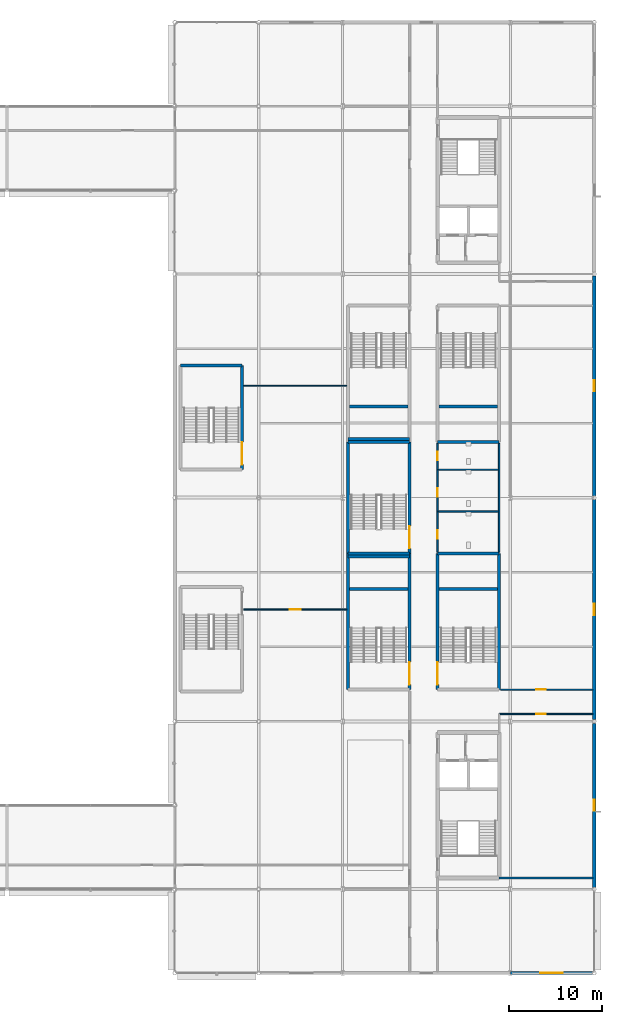
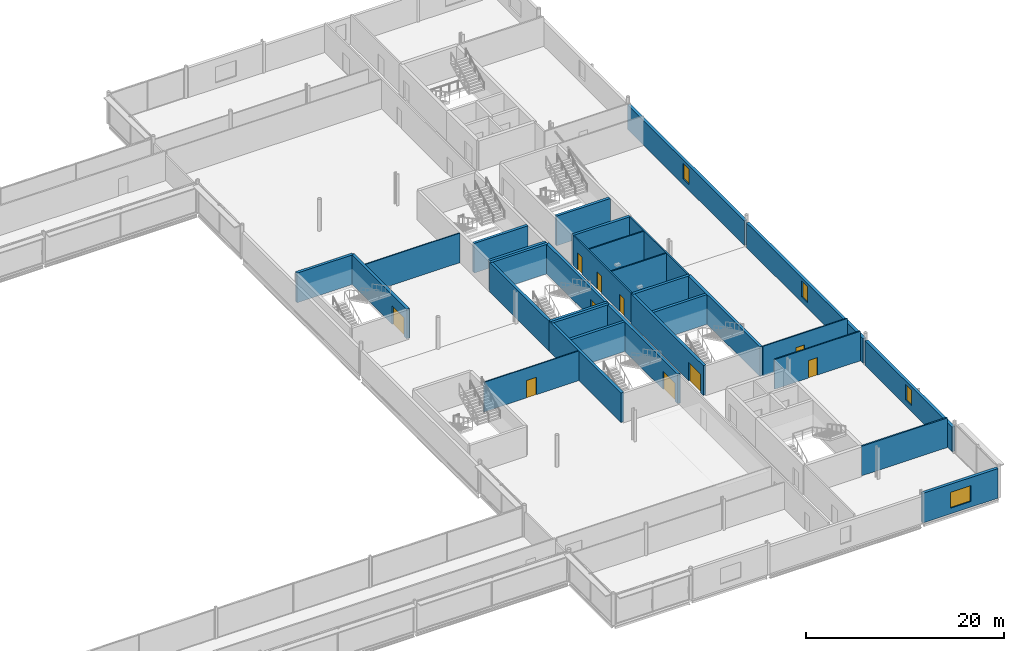
# One storey, part 61 of 96: 31 walls, 10 doors, 4 windows, 14 openings.
"""IFC4 building model written with IfcOpenShell, lengths in metres."""

from ifc_helpers import new_model, si_unit, direction, frame, frame_2d, origin, place, context, subcontext, project, spatial, rectangle, extrude, material, layer, layer_set, type_object, element, fill, save


model = new_model("IFC4")

# Units and contexts
model_context = context("Model", 3, precision=1e-05, world=origin(), true_north=direction((0.0, 1.0)))
body_context = subcontext(model_context, "Body", "Model", "MODEL_VIEW")
ifc_project = project(units=[si_unit("LENGTHUNIT", "METRE"), si_unit("AREAUNIT", "SQUARE_METRE"), si_unit("VOLUMEUNIT", "CUBIC_METRE"), si_unit("PLANEANGLEUNIT", "RADIAN"), si_unit("MASSUNIT", "GRAM", prefix="KILO")], contexts=[model_context])

# Site, building, storey
site_placement = place(None, origin())
site = spatial("IfcSite", under=ifc_project, at=site_placement, CompositionType="ELEMENT")
building_placement = place(site_placement, origin())
building = spatial("IfcBuilding", under=site, at=building_placement, Name="Kisiwana Market Hall", CompositionType="ELEMENT")
storey_placement = place(building_placement, frame((0.0, 0.0, 25.5)))
storey = spatial("IfcBuildingStorey", under=building, at=storey_placement, Name="L05", CompositionType="ELEMENT", Elevation=25.5)

# Wall
ifc_material_1 = material(Name="Concrete C40/50", Category="concrete")
ifc_layer_1 = layer(ifc_material_1, 0.320068359375, Name="Reinforced concrete shaft wall")
ifc_layer_set_1 = layer_set([ifc_layer_1], Name="WL-CORE-320")
wall_type_1 = type_object("IfcWallType", Name="WL-CORE-320", PredefinedType="SHEAR", material=ifc_layer_set_1)
wall_1_placement = place(storey_placement, frame((181.199951171875, 54.0, 0.0), z_axis=(0.0, 0.0, 1.0), x_axis=(1.0, 0.0, 0.0)))
element("IfcWall", 1, at=wall_1_placement, inside=storey, type_object=wall_type_1, Name="Core E3 north shear wall W-1749", PredefinedType="SHEAR", context=body_context, shape_type="SweptSolid", body=[
    extrude(rectangle(XDim=6.60009765625, YDim=0.320068359375, at=frame_2d((3.300048828125, 0.0))), origin(), (0.0, 0.0, 1.0), 3.655029296875),
])

# Wall, opening, door
wall_2_placement = place(storey_placement, frame((181.199951171875, 39.39990234375, 0.0), z_axis=(0.0, 0.0, 1.0), x_axis=(0.0, 1.0, 0.0)))
wall_2 = element("IfcWall", 2, at=wall_2_placement, inside=storey, type_object=wall_type_1, Name="Core E3 corridor shear wall W-1750", PredefinedType="SHEAR", context=body_context, shape_type="SweptSolid", body=[
    extrude(rectangle(XDim=14.60009765625, YDim=0.320068359375, at=frame_2d((7.300048828125, 0.0))), origin(), (0.0, 0.0, 1.0), 3.655029296875),
])
opening_1_placement = place(wall_2_placement, frame((0.550048828125, 0.0, 0.0)))
opening_1 = element("IfcOpeningElement", 3, at=opening_1_placement, cuts=wall_2, Name="Opening DR-L05-015", PredefinedType="OPENING", context=body_context, shape_type="SweptSolid", body=[
    extrude(rectangle(XDim=2.39990234375, YDim=2.25, at=frame_2d((1.199951171875, 1.125))), frame((0.0, 0.171875, 0.0), z_axis=(0.0, -1.0, 0.0), x_axis=(1.0, 0.0, 0.0)), (0.0, 0.0, 1.0), 0.343994140625),
])
ifc_material_2 = material(Name="Steel S275", Category="steel")
door_type_1 = type_object("IfcDoorType", Name="DR-STAIR-FD120-2400", OperationType="DOUBLE_DOOR_SINGLE_SWING", PredefinedType="DOOR", material=ifc_material_2)
door_1_placement = place(opening_1_placement, frame((2.39990234375, 0.0, 0.0), z_axis=(0.0, 0.0, 1.0), x_axis=(-1.0, 0.0, 0.0)))
door_1 = element("IfcDoor", 4, at=door_1_placement, inside=storey, type_object=door_type_1, Name="Escape Stair E3 Fire Door (L05)", OperationType="DOUBLE_DOOR_SINGLE_SWING", OverallHeight=2.25, OverallWidth=2.39990234375, PredefinedType="DOOR", context=body_context, shape_type="SweptSolid", body=[
    extrude(rectangle(XDim=2.39990234375, YDim=2.25, at=frame_2d((1.199951171875, 1.125))), frame((0.0, 0.02490234375, 0.0), z_axis=(0.0, -1.0, 0.0), x_axis=(1.0, 0.0, 0.0)), (0.0, 0.0, 1.0), 0.050048828125),
])
fill(opening_1, door_1)

# Walls
wall_3_placement = place(storey_placement, frame((187.800048828125, 39.39990234375, 0.0), z_axis=(0.0, 0.0, 1.0), x_axis=(0.0, 1.0, 0.0)))
element("IfcWall", 5, at=wall_3_placement, inside=storey, type_object=wall_type_1, Name="Core E3 outer shear wall W-1751", PredefinedType="SHEAR", context=body_context, shape_type="SweptSolid", body=[
    extrude(rectangle(XDim=14.60009765625, YDim=0.320068359375, at=frame_2d((7.300048828125, 0.0))), origin(), (0.0, 0.0, 1.0), 3.655029296875),
])
wall_4_placement = place(storey_placement, frame((181.360107421875, 50.219970703125, 0.0), z_axis=(0.0, 0.0, 1.0), x_axis=(1.0, 0.0, 0.0)))
element("IfcWall", 6, at=wall_4_placement, inside=storey, type_object=wall_type_1, Name="Core E3 riser divider shear wall W-1752", PredefinedType="SHEAR", context=body_context, shape_type="SweptSolid", body=[
    extrude(rectangle(XDim=6.27978515625, YDim=0.320068359375, at=frame_2d((3.139892578125, 0.0))), origin(), (0.0, 0.0, 1.0), 3.655029296875),
])
wall_5_placement = place(storey_placement, frame((181.199951171875, 66.0, 0.0), z_axis=(0.0, 0.0, 1.0), x_axis=(1.0, 0.0, 0.0)))
element("IfcWall", 7, at=wall_5_placement, inside=storey, type_object=wall_type_1, Name="Core E4 south shear wall W-1753", PredefinedType="SHEAR", context=body_context, shape_type="SweptSolid", body=[
    extrude(rectangle(XDim=6.60009765625, YDim=0.320068359375, at=frame_2d((3.300048828125, 0.0))), origin(), (0.0, 0.0, 1.0), 3.655029296875),
])
wall_6_placement = place(storey_placement, frame((181.360107421875, 69.780029296875, 0.0), z_axis=(0.0, 0.0, 1.0), x_axis=(1.0, 0.0, 0.0)))
element("IfcWall", 8, at=wall_6_placement, inside=storey, type_object=wall_type_1, Name="Core E4 riser divider shear wall W-1757", PredefinedType="SHEAR", context=body_context, shape_type="SweptSolid", body=[
    extrude(rectangle(XDim=6.27978515625, YDim=0.320068359375, at=frame_2d((3.139892578125, 0.0))), origin(), (0.0, 0.0, 1.0), 3.655029296875),
])
wall_7_placement = place(storey_placement, frame((171.60009765625, 54.0, 0.0), z_axis=(0.0, 0.0, 1.0), x_axis=(1.0, 0.0, 0.0)))
element("IfcWall", 9, at=wall_7_placement, inside=storey, type_object=wall_type_1, Name="Core E7 north shear wall W-1764", PredefinedType="SHEAR", context=body_context, shape_type="SweptSolid", body=[
    extrude(rectangle(XDim=6.599853515625, YDim=0.320068359375, at=frame_2d((3.2998046875, 0.0))), origin(), (0.0, 0.0, 1.0), 3.655029296875),
])
wall_8_placement = place(storey_placement, frame((171.60009765625, 39.39990234375, 0.0), z_axis=(0.0, 0.0, 1.0), x_axis=(0.0, 1.0, 0.0)))
element("IfcWall", 10, at=wall_8_placement, inside=storey, type_object=wall_type_1, Name="Core E7 outer shear wall W-1765", PredefinedType="SHEAR", context=body_context, shape_type="SweptSolid", body=[
    extrude(rectangle(XDim=14.60009765625, YDim=0.320068359375, at=frame_2d((7.300048828125, 0.0))), origin(), (0.0, 0.0, 1.0), 3.655029296875),
])

# Wall, opening, door
wall_9_placement = place(storey_placement, frame((178.199951171875, 39.39990234375, 0.0), z_axis=(0.0, 0.0, 1.0), x_axis=(0.0, 1.0, 0.0)))
wall_9 = element("IfcWall", 11, at=wall_9_placement, inside=storey, type_object=wall_type_1, Name="Core E7 corridor shear wall W-1766", PredefinedType="SHEAR", context=body_context, shape_type="SweptSolid", body=[
    extrude(rectangle(XDim=14.60009765625, YDim=0.320068359375, at=frame_2d((7.300048828125, 0.0))), origin(), (0.0, 0.0, 1.0), 3.655029296875),
])
opening_2_placement = place(wall_9_placement, frame((0.550048828125, 0.0, 0.0)))
opening_2 = element("IfcOpeningElement", 12, at=opening_2_placement, cuts=wall_9, Name="Opening DR-L05-018", PredefinedType="OPENING", context=body_context, shape_type="SweptSolid", body=[
    extrude(rectangle(XDim=2.39990234375, YDim=2.25, at=frame_2d((1.199951171875, 1.125))), frame((0.0, 0.171875, 0.0), z_axis=(0.0, -1.0, 0.0), x_axis=(1.0, 0.0, 0.0)), (0.0, 0.0, 1.0), 0.343994140625),
])
door_2_placement = place(opening_2_placement, origin())
door_2 = element("IfcDoor", 13, at=door_2_placement, inside=storey, type_object=door_type_1, Name="Escape Stair E7 Fire Door (L05)", OperationType="DOUBLE_DOOR_SINGLE_SWING", OverallHeight=2.25, OverallWidth=2.39990234375, PredefinedType="DOOR", context=body_context, shape_type="SweptSolid", body=[
    extrude(rectangle(XDim=2.39990234375, YDim=2.25, at=frame_2d((1.199951171875, 1.125))), frame((0.0, 0.02490234375, 0.0), z_axis=(0.0, -1.0, 0.0), x_axis=(1.0, 0.0, 0.0)), (0.0, 0.0, 1.0), 0.050048828125),
])
fill(opening_2, door_2)

# Walls
wall_10_placement = place(storey_placement, frame((171.760009765625, 50.219970703125, 0.0), z_axis=(0.0, 0.0, 1.0), x_axis=(1.0, 0.0, 0.0)))
element("IfcWall", 14, at=wall_10_placement, inside=storey, type_object=wall_type_1, Name="Core E7 riser divider shear wall W-1767", PredefinedType="SHEAR", context=body_context, shape_type="SweptSolid", body=[
    extrude(rectangle(XDim=6.280029296875, YDim=0.320068359375, at=frame_2d((3.14013671875, 0.0))), origin(), (0.0, 0.0, 1.0), 3.655029296875),
])
wall_11_placement = place(storey_placement, frame((171.60009765625, 66.0, 0.0), z_axis=(0.0, 0.0, 1.0), x_axis=(1.0, 0.0, 0.0)))
element("IfcWall", 15, at=wall_11_placement, inside=storey, type_object=wall_type_1, Name="Core E8 south shear wall W-1773", PredefinedType="SHEAR", context=body_context, shape_type="SweptSolid", body=[
    extrude(rectangle(XDim=6.599853515625, YDim=0.320068359375, at=frame_2d((3.2998046875, 0.0))), origin(), (0.0, 0.0, 1.0), 3.655029296875),
])
wall_12_placement = place(storey_placement, frame((171.760009765625, 69.780029296875, 0.0), z_axis=(0.0, 0.0, 1.0), x_axis=(1.0, 0.0, 0.0)))
element("IfcWall", 16, at=wall_12_placement, inside=storey, type_object=wall_type_1, Name="Core E8 riser divider shear wall W-1777", PredefinedType="SHEAR", context=body_context, shape_type="SweptSolid", body=[
    extrude(rectangle(XDim=6.280029296875, YDim=0.320068359375, at=frame_2d((3.14013671875, 0.0))), origin(), (0.0, 0.0, 1.0), 3.655029296875),
])
wall_13_placement = place(storey_placement, frame((153.6298828125, 74.199951171875, 0.0), z_axis=(0.0, 0.0, 1.0), x_axis=(1.0, 0.0, 0.0)))
element("IfcWall", 17, at=wall_13_placement, inside=storey, type_object=wall_type_1, Name="Core E10 north shear wall W-1791", PredefinedType="SHEAR", context=body_context, shape_type="SweptSolid", body=[
    extrude(rectangle(XDim=6.60009765625, YDim=0.320068359375, at=frame_2d((3.300048828125, 0.0))), origin(), (0.0, 0.0, 1.0), 3.655029296875),
])

# Wall, opening, door
wall_14_placement = place(storey_placement, frame((160.22998046875, 63.0, 0.0), z_axis=(0.0, 0.0, 1.0), x_axis=(0.0, 1.0, 0.0)))
wall_14 = element("IfcWall", 18, at=wall_14_placement, inside=storey, type_object=wall_type_1, Name="Core E10 corridor shear wall W-1793", PredefinedType="SHEAR", context=body_context, shape_type="SweptSolid", body=[
    extrude(rectangle(XDim=11.199951171875, YDim=0.320068359375, at=frame_2d((5.60009765625, 0.0))), origin(), (0.0, 0.0, 1.0), 3.655029296875),
])
opening_3_placement = place(wall_14_placement, frame((0.550048828125, 0.0, 0.0)))
opening_3 = element("IfcOpeningElement", 19, at=opening_3_placement, cuts=wall_14, Name="Opening DR-L05-024", PredefinedType="OPENING", context=body_context, shape_type="SweptSolid", body=[
    extrude(rectangle(XDim=2.39990234375, YDim=2.25, at=frame_2d((1.199951171875, 1.125))), frame((0.0, 0.171875, 0.0), z_axis=(0.0, -1.0, 0.0), x_axis=(1.0, 0.0, 0.0)), (0.0, 0.0, 1.0), 0.343994140625),
])
door_3_placement = place(opening_3_placement, origin())
door_3 = element("IfcDoor", 20, at=door_3_placement, inside=storey, type_object=door_type_1, Name="Escape Stair E10 Fire Door (L05)", OperationType="DOUBLE_DOOR_SINGLE_SWING", OverallHeight=2.25, OverallWidth=2.39990234375, PredefinedType="DOOR", context=body_context, shape_type="SweptSolid", body=[
    extrude(rectangle(XDim=2.39990234375, YDim=2.25, at=frame_2d((1.199951171875, 1.125))), frame((0.0, 0.02490234375, 0.0), z_axis=(0.0, -1.0, 0.0), x_axis=(1.0, 0.0, 0.0)), (0.0, 0.0, 1.0), 0.050048828125),
])
fill(opening_3, door_3)

# Walls
for number, where, z_axis, x_axis, name in (
    (21, (171.60009765625, 53.679931640625, 0.0), (0.0, 0.0, 1.0), (1.0, 0.0, 0.0), "Core E5 south shear wall W-1798"),
    (22, (171.60009765625, 66.320068359375, 0.0), (0.0, 0.0, 1.0), (1.0, 0.0, 0.0), "Core E5 north shear wall W-1799"),
):
    element("IfcWall", number, at=place(storey_placement, frame(where, z_axis=z_axis, x_axis=x_axis)), inside=storey, type_object=wall_type_1, Name=name, PredefinedType="SHEAR", context=body_context, shape_type="SweptSolid", body=[
        extrude(rectangle(XDim=6.599853515625, YDim=0.320068359375, at=frame_2d((3.2998046875, 0.0))), origin(), (0.0, 0.0, 1.0), 3.655029296875),
    ])
wall_15_placement = place(storey_placement, frame((171.60009765625, 54.0, 0.0), z_axis=(0.0, 0.0, 1.0), x_axis=(0.0, 1.0, 0.0)))
element("IfcWall", 23, at=wall_15_placement, inside=storey, type_object=wall_type_1, Name="Core E5 outer shear wall W-1800", PredefinedType="SHEAR", context=body_context, shape_type="SweptSolid", body=[
    extrude(rectangle(XDim=12.0, YDim=0.320068359375, at=frame_2d((6.0, 0.0))), origin(), (0.0, 0.0, 1.0), 3.655029296875),
])

# Wall, opening, door
wall_16_placement = place(storey_placement, frame((178.199951171875, 54.0, 0.0), z_axis=(0.0, 0.0, 1.0), x_axis=(0.0, 1.0, 0.0)))
wall_16 = element("IfcWall", 24, at=wall_16_placement, inside=storey, type_object=wall_type_1, Name="Core E5 corridor shear wall W-1801", PredefinedType="SHEAR", context=body_context, shape_type="SweptSolid", body=[
    extrude(rectangle(XDim=12.0, YDim=0.320068359375, at=frame_2d((6.0, 0.0))), origin(), (0.0, 0.0, 1.0), 3.655029296875),
])
opening_4_placement = place(wall_16_placement, frame((0.550048828125, 0.0, 0.0)))
opening_4 = element("IfcOpeningElement", 25, at=opening_4_placement, cuts=wall_16, Name="Opening DR-L05-026", PredefinedType="OPENING", context=body_context, shape_type="SweptSolid", body=[
    extrude(rectangle(XDim=2.39990234375, YDim=2.25, at=frame_2d((1.199951171875, 1.125))), frame((0.0, 0.171875, 0.0), z_axis=(0.0, -1.0, 0.0), x_axis=(1.0, 0.0, 0.0)), (0.0, 0.0, 1.0), 0.343994140625),
])
door_4_placement = place(opening_4_placement, origin())
door_4 = element("IfcDoor", 26, at=door_4_placement, inside=storey, type_object=door_type_1, Name="Escape Stair E5 Fire Door (L05)", OperationType="DOUBLE_DOOR_SINGLE_SWING", OverallHeight=2.25, OverallWidth=2.39990234375, PredefinedType="DOOR", context=body_context, shape_type="SweptSolid", body=[
    extrude(rectangle(XDim=2.39990234375, YDim=2.25, at=frame_2d((1.199951171875, 1.125))), frame((0.0, 0.02490234375, 0.0), z_axis=(0.0, -1.0, 0.0), x_axis=(1.0, 0.0, 0.0)), (0.0, 0.0, 1.0), 0.050048828125),
])
fill(opening_4, door_4)

# Wall
ifc_material_3 = material(Name="Masonry blockwork", Category="masonry")
ifc_layer_2 = layer(ifc_material_3, 0.169921875, Name="Protected corridor partition")
ifc_layer_set_2 = layer_set([ifc_layer_2], Name="WL-CORR-170")
wall_type_2 = type_object("IfcWallType", Name="WL-CORR-170", PredefinedType="PARTITIONING", material=ifc_layer_set_2)
wall_17_placement = place(storey_placement, frame((187.800048828125, 54.159912109375, 0.0), z_axis=(0.0, 0.0, 1.0), x_axis=(0.0, 1.0, 0.0)))
element("IfcWall", 27, at=wall_17_placement, inside=storey, type_object=wall_type_2, Name="Interior partition W-1858", PredefinedType="PARTITIONING", context=body_context, shape_type="SweptSolid", body=[
    extrude(rectangle(XDim=11.68017578125, YDim=0.169921875, at=frame_2d((5.840087890625, 0.0))), origin(), (0.0, 0.0, 1.0), 3.655029296875),
])

# Wall, openings, doors
wall_18_placement = place(storey_placement, frame((181.199951171875, 54.159912109375, 0.0), z_axis=(0.0, 0.0, 1.0), x_axis=(0.0, 1.0, 0.0)))
wall_18 = element("IfcWall", 28, at=wall_18_placement, inside=storey, type_object=wall_type_2, Name="Interior partition W-1859", PredefinedType="PARTITIONING", context=body_context, shape_type="SweptSolid", body=[
    extrude(rectangle(XDim=11.68017578125, YDim=0.169921875, at=frame_2d((5.840087890625, 0.0))), origin(), (0.0, 0.0, 1.0), 3.655029296875),
])
opening_5_placement = place(wall_18_placement, frame((1.43994140625, 0.0, 0.0)))
opening_5 = element("IfcOpeningElement", 29, at=opening_5_placement, cuts=wall_18, Name="Opening DR-L05-046", PredefinedType="OPENING", context=body_context, shape_type="SweptSolid", body=[
    extrude(rectangle(XDim=0.89990234375, YDim=2.10009765625, at=frame_2d((0.449951171875, 1.050048828125))), frame((0.0, 0.096923828125, 0.0), z_axis=(0.0, -1.0, 0.0), x_axis=(1.0, 0.0, 0.0)), (0.0, 0.0, 1.0), 0.19384765625),
])
opening_6_placement = place(wall_18_placement, frame((5.93994140625, 0.0, 0.0)))
opening_6 = element("IfcOpeningElement", 30, at=opening_6_placement, cuts=wall_18, Name="Opening DR-L05-047", PredefinedType="OPENING", context=body_context, shape_type="SweptSolid", body=[
    extrude(rectangle(XDim=0.89990234375, YDim=2.10009765625, at=frame_2d((0.449951171875, 1.050048828125))), frame((0.0, 0.096923828125, 0.0), z_axis=(0.0, -1.0, 0.0), x_axis=(1.0, 0.0, 0.0)), (0.0, 0.0, 1.0), 0.19384765625),
])
opening_7_placement = place(wall_18_placement, frame((9.840087890625, 0.0, 0.0)))
opening_7 = element("IfcOpeningElement", 31, at=opening_7_placement, cuts=wall_18, Name="Opening DR-L05-048", PredefinedType="OPENING", context=body_context, shape_type="SweptSolid", body=[
    extrude(rectangle(XDim=0.949951171875, YDim=2.10009765625, at=frame_2d((0.47509765625, 1.050048828125))), frame((0.0, 0.096923828125, 0.0), z_axis=(0.0, -1.0, 0.0), x_axis=(1.0, 0.0, 0.0)), (0.0, 0.0, 1.0), 0.19384765625),
])
ifc_material_4 = material(Name="Aluminium alloy 6063-T6", Category="aluminium")
door_type_2 = type_object("IfcDoorType", Name="DR-WC-ACC-950", OperationType="NOTDEFINED", PredefinedType="DOOR", material=ifc_material_4)
door_5_placement = place(opening_7_placement, frame((0.949951171875, 0.0, 0.0), z_axis=(0.0, 0.0, 1.0), x_axis=(-1.0, 0.0, 0.0)))
door_5 = element("IfcDoor", 32, at=door_5_placement, inside=storey, type_object=door_type_2, Name="L05 E Accessible WC Door", OperationType="SINGLE_SWING_LEFT", OverallHeight=2.10009765625, OverallWidth=0.949951171875, PredefinedType="DOOR", context=body_context, shape_type="SweptSolid", body=[
    extrude(rectangle(XDim=0.949951171875, YDim=2.10009765625, at=frame_2d((0.47509765625, 1.050048828125))), frame((0.0, 0.02490234375, 0.0), z_axis=(0.0, -1.0, 0.0), x_axis=(1.0, 0.0, 0.0)), (0.0, 0.0, 1.0), 0.050048828125),
])
fill(opening_7, door_5)
ifc_material_5 = material(Name="Aluminium alloy 6063-T6", Category="aluminium")
door_type_3 = type_object("IfcDoorType", Name="DR-WC-STD-900", OperationType="NOTDEFINED", PredefinedType="DOOR", material=ifc_material_5)
door_6_placement = place(opening_5_placement, frame((0.89990234375, 0.0, 0.0), z_axis=(0.0, 0.0, 1.0), x_axis=(-1.0, 0.0, 0.0)))
door_6 = element("IfcDoor", 33, at=door_6_placement, inside=storey, type_object=door_type_3, Name="L05 E Male Toilet Door", OperationType="SINGLE_SWING_RIGHT", OverallHeight=2.10009765625, OverallWidth=0.89990234375, PredefinedType="DOOR", context=body_context, shape_type="SweptSolid", body=[
    extrude(rectangle(XDim=0.89990234375, YDim=2.10009765625, at=frame_2d((0.449951171875, 1.050048828125))), frame((0.0, 0.02490234375, 0.0), z_axis=(0.0, -1.0, 0.0), x_axis=(1.0, 0.0, 0.0)), (0.0, 0.0, 1.0), 0.050048828125),
])
fill(opening_5, door_6)
door_7_placement = place(opening_6_placement, frame((0.89990234375, 0.0, 0.0), z_axis=(0.0, 0.0, 1.0), x_axis=(-1.0, 0.0, 0.0)))
door_7 = element("IfcDoor", 34, at=door_7_placement, inside=storey, type_object=door_type_3, Name="L05 E Female Toilet Door", OperationType="SINGLE_SWING_LEFT", OverallHeight=2.10009765625, OverallWidth=0.89990234375, PredefinedType="DOOR", context=body_context, shape_type="SweptSolid", body=[
    extrude(rectangle(XDim=0.89990234375, YDim=2.10009765625, at=frame_2d((0.449951171875, 1.050048828125))), frame((0.0, 0.02490234375, 0.0), z_axis=(0.0, -1.0, 0.0), x_axis=(1.0, 0.0, 0.0)), (0.0, 0.0, 1.0), 0.050048828125),
])
fill(opening_6, door_7)

# Wall
wall_19_placement = place(storey_placement, frame((187.800048828125, 19.199951171875, 0.0), z_axis=(0.0, 0.0, 1.0), x_axis=(1.0, 0.0, 0.0)))
element("IfcWall", 35, at=wall_19_placement, inside=storey, type_object=wall_type_2, Name="Interior partition W-1864", PredefinedType="PARTITIONING", context=body_context, shape_type="SweptSolid", body=[
    extrude(rectangle(XDim=10.04248046875, YDim=0.169921875, at=frame_2d((5.021240234375, 0.0))), origin(), (0.0, 0.0, 1.0), 3.655029296875),
])

# Wall, opening, window
ifc_material_6 = material(Name="Concrete C40/50 precast", Category="concrete")
ifc_layer_3 = layer(ifc_material_6, 0.14990234375, Name="Precast architectural concrete spandrel")
ifc_material_7 = material(Name="Mineral wool insulation")
ifc_layer_4 = layer(ifc_material_7, 0.090087890625, Name="Rockwool thermal insulation")
ifc_material_8 = material(Name="Masonry blockwork", Category="masonry")
ifc_layer_5 = layer(ifc_material_8, 0.10009765625, Name="Inner masonry block leaf")
ifc_layer_set_3 = layer_set([ifc_layer_3, ifc_layer_4, ifc_layer_5], Name="WL-EXT-PREC-340")
wall_type_3 = type_object("IfcWallType", Name="WL-EXT-PREC-340", PredefinedType="STANDARD", material=ifc_layer_set_3)
wall_20_placement = place(storey_placement, frame((189.010009765625, 9.0, 0.0), z_axis=(0.0, 0.0, 1.0), x_axis=(1.0, 0.0, 0.0)))
wall_20 = element("IfcWall", 36, at=wall_20_placement, inside=storey, type_object=wall_type_3, Name="Exterior wall W-1806", PredefinedType="STANDARD", context=body_context, shape_type="SweptSolid", body=[
    extrude(rectangle(XDim=8.784912109375, YDim=0.340087890625, at=frame_2d((4.392578125, 0.0))), origin(), (0.0, 0.0, 1.0), 3.655029296875),
])
opening_8_placement = place(wall_20_placement, frame((3.1923828125, 0.0, 0.699951171875)))
opening_8 = element("IfcOpeningElement", 37, at=opening_8_placement, cuts=wall_20, Name="Opening WN-27", PredefinedType="OPENING", context=body_context, shape_type="SweptSolid", body=[
    extrude(rectangle(XDim=2.39990234375, YDim=1.949951171875, at=frame_2d((1.199951171875, 0.97509765625))), frame((0.0, 0.18212890625, 0.0), z_axis=(0.0, -1.0, 0.0), x_axis=(1.0, 0.0, 0.0)), (0.0, 0.0, 1.0), 0.364013671875),
])
ifc_material_9 = material(Name="Double-glazed solar-control low-E IGU", Category="glass")
window_type_1 = type_object("IfcWindowType", Name="WN-OFFA-2400x1950", PartitioningType="SINGLE_PANEL", PredefinedType="WINDOW", material=ifc_material_9)
window_1_placement = place(opening_8_placement, origin())
window_1 = element("IfcWindow", 38, at=window_1_placement, inside=storey, type_object=window_type_1, Name="Exterior window WN-181", OverallHeight=1.949951171875, OverallWidth=2.39990234375, PartitioningType="SINGLE_PANEL", PredefinedType="WINDOW", context=body_context, shape_type="SweptSolid", body=[
    extrude(rectangle(XDim=2.39990234375, YDim=1.949951171875, at=frame_2d((1.199951171875, 0.97509765625))), frame((0.0, 0.030029296875, 0.0), z_axis=(0.0, -1.0, 0.0), x_axis=(1.0, 0.0, 0.0)), (0.0, 0.0, 1.0), 0.06005859375),
])
fill(opening_8, window_1)

wall_21_placement = place(storey_placement, frame((198.0, 18.205078125, 0.0), z_axis=(0.0, 0.0, 1.0), x_axis=(0.0, 1.0, 0.0)))
wall_21 = element("IfcWall", 39, at=wall_21_placement, inside=storey, type_object=wall_type_3, Name="Exterior wall W-1821", PredefinedType="STANDARD", context=body_context, shape_type="SweptSolid", body=[
    extrude(rectangle(XDim=17.58984375, YDim=0.340087890625, at=frame_2d((8.794921875, 0.0))), origin(), (0.0, 0.0, 1.0), 3.042724609375),
])
opening_9_placement = place(wall_21_placement, frame((8.19482421875, 0.0, 0.699951171875)))
opening_9 = element("IfcOpeningElement", 40, at=opening_9_placement, cuts=wall_21, Name="Opening WN-15", PredefinedType="OPENING", context=body_context, shape_type="SweptSolid", body=[
    extrude(rectangle(XDim=1.199951171875, YDim=1.949951171875, at=frame_2d((0.60009765625, 0.97509765625))), frame((0.0, 0.18212890625, 0.0), z_axis=(0.0, -1.0, 0.0), x_axis=(1.0, 0.0, 0.0)), (0.0, 0.0, 1.0), 0.364013671875),
])
ifc_material_10 = material(Name="Double-glazed solar-control low-E IGU", Category="glass")
window_type_2 = type_object("IfcWindowType", Name="WN-OFFA-1200x1950", PartitioningType="SINGLE_PANEL", PredefinedType="WINDOW", material=ifc_material_10)
window_2_placement = place(opening_9_placement, origin())
window_2 = element("IfcWindow", 41, at=window_2_placement, inside=storey, type_object=window_type_2, Name="Exterior window WN-175", OverallHeight=1.949951171875, OverallWidth=1.199951171875, PartitioningType="SINGLE_PANEL", PredefinedType="WINDOW", context=body_context, shape_type="SweptSolid", body=[
    extrude(rectangle(XDim=1.199951171875, YDim=1.949951171875, at=frame_2d((0.60009765625, 0.97509765625))), frame((0.0, 0.030029296875, 0.0), z_axis=(0.0, -1.0, 0.0), x_axis=(1.0, 0.0, 0.0)), (0.0, 0.0, 1.0), 0.06005859375),
])
fill(opening_9, window_2)

wall_22_placement = place(storey_placement, frame((198.0, 36.205078125, 0.0), z_axis=(0.0, 0.0, 1.0), x_axis=(0.0, 1.0, 0.0)))
wall_22 = element("IfcWall", 42, at=wall_22_placement, inside=storey, type_object=wall_type_3, Name="Exterior wall W-1822", PredefinedType="STANDARD", context=body_context, shape_type="SweptSolid", body=[
    extrude(rectangle(XDim=23.58984375, YDim=0.340087890625, at=frame_2d((11.794921875, 0.0))), origin(), (0.0, 0.0, 1.0), 3.042724609375),
])
opening_10_placement = place(wall_22_placement, frame((11.19482421875, 0.0, 0.699951171875)))
opening_10 = element("IfcOpeningElement", 43, at=opening_10_placement, cuts=wall_22, Name="Opening WN-15", PredefinedType="OPENING", context=body_context, shape_type="SweptSolid", body=[
    extrude(rectangle(XDim=1.199951171875, YDim=1.949951171875, at=frame_2d((0.60009765625, 0.97509765625))), frame((0.0, 0.18212890625, 0.0), z_axis=(0.0, -1.0, 0.0), x_axis=(1.0, 0.0, 0.0)), (0.0, 0.0, 1.0), 0.364013671875),
])
window_3_placement = place(opening_10_placement, origin())
window_3 = element("IfcWindow", 44, at=window_3_placement, inside=storey, type_object=window_type_2, Name="Exterior window WN-176", OverallHeight=1.949951171875, OverallWidth=1.199951171875, PartitioningType="SINGLE_PANEL", PredefinedType="WINDOW", context=body_context, shape_type="SweptSolid", body=[
    extrude(rectangle(XDim=1.199951171875, YDim=1.949951171875, at=frame_2d((0.60009765625, 0.97509765625))), frame((0.0, 0.030029296875, 0.0), z_axis=(0.0, -1.0, 0.0), x_axis=(1.0, 0.0, 0.0)), (0.0, 0.0, 1.0), 0.06005859375),
])
fill(opening_10, window_3)

wall_23_placement = place(storey_placement, frame((198.0, 60.205078125, 0.0), z_axis=(0.0, 0.0, 1.0), x_axis=(0.0, 1.0, 0.0)))
wall_23 = element("IfcWall", 45, at=wall_23_placement, inside=storey, type_object=wall_type_3, Name="Exterior wall W-1823", PredefinedType="STANDARD", context=body_context, shape_type="SweptSolid", body=[
    extrude(rectangle(XDim=23.58984375, YDim=0.340087890625, at=frame_2d((11.794921875, 0.0))), origin(), (0.0, 0.0, 1.0), 3.042724609375),
])
opening_11_placement = place(wall_23_placement, frame((11.19482421875, 0.0, 0.699951171875)))
opening_11 = element("IfcOpeningElement", 46, at=opening_11_placement, cuts=wall_23, Name="Opening WN-15", PredefinedType="OPENING", context=body_context, shape_type="SweptSolid", body=[
    extrude(rectangle(XDim=1.199951171875, YDim=1.949951171875, at=frame_2d((0.60009765625, 0.97509765625))), frame((0.0, 0.18212890625, 0.0), z_axis=(0.0, -1.0, 0.0), x_axis=(1.0, 0.0, 0.0)), (0.0, 0.0, 1.0), 0.364013671875),
])
window_4_placement = place(opening_11_placement, origin())
window_4 = element("IfcWindow", 47, at=window_4_placement, inside=storey, type_object=window_type_2, Name="Exterior window WN-177", OverallHeight=1.949951171875, OverallWidth=1.199951171875, PartitioningType="SINGLE_PANEL", PredefinedType="WINDOW", context=body_context, shape_type="SweptSolid", body=[
    extrude(rectangle(XDim=1.199951171875, YDim=1.949951171875, at=frame_2d((0.60009765625, 0.97509765625))), frame((0.0, 0.030029296875, 0.0), z_axis=(0.0, -1.0, 0.0), x_axis=(1.0, 0.0, 0.0)), (0.0, 0.0, 1.0), 0.06005859375),
])
fill(opening_11, window_4)

# Wall, opening, door
ifc_material_11 = material(Name="Gypsum plasterboard")
ifc_layer_6 = layer(ifc_material_11, 0.125, Name="Double gypsum board + acoustic stud")
ifc_layer_set_4 = layer_set([ifc_layer_6], Name="WL-OFF-125")
wall_type_4 = type_object("IfcWallType", Name="WL-OFF-125", PredefinedType="PARTITIONING", material=ifc_layer_set_4)
wall_24_placement = place(storey_placement, frame((160.389892578125, 48.0, 0.0), z_axis=(0.0, 0.0, 1.0), x_axis=(1.0, 0.0, 0.0)))
wall_24 = element("IfcWall", 48, at=wall_24_placement, inside=storey, type_object=wall_type_4, Name="Interior partition W-1876", PredefinedType="PARTITIONING", context=body_context, shape_type="SweptSolid", body=[
    extrude(rectangle(XDim=11.050048828125, YDim=0.125, at=frame_2d((5.52490234375, 0.0))), origin(), (0.0, 0.0, 1.0), 3.655029296875),
])
opening_12_placement = place(wall_24_placement, frame((4.949951171875, 0.0, 0.0)))
opening_12 = element("IfcOpeningElement", 49, at=opening_12_placement, cuts=wall_24, Name="Opening DR-L05-055", PredefinedType="OPENING", context=body_context, shape_type="SweptSolid", body=[
    extrude(rectangle(XDim=1.14990234375, YDim=2.14990234375, at=frame_2d((0.574951171875, 1.074951171875))), frame((0.0, 0.074462890625, 0.0), z_axis=(0.0, -1.0, 0.0), x_axis=(1.0, 0.0, 0.0)), (0.0, 0.0, 1.0), 0.14892578125),
])
ifc_material_12 = material(Name="Aluminium alloy 6063-T6", Category="aluminium")
door_type_4 = type_object("IfcDoorType", Name="DR-MEET-1150", OperationType="NOTDEFINED", PredefinedType="DOOR", material=ifc_material_12)
door_8_placement = place(opening_12_placement, origin())
door_8 = element("IfcDoor", 50, at=door_8_placement, inside=storey, type_object=door_type_4, Name="L05 E Open-Plan Office A3 Door", OperationType="SINGLE_SWING_RIGHT", OverallHeight=2.14990234375, OverallWidth=1.14990234375, PredefinedType="DOOR", context=body_context, shape_type="SweptSolid", body=[
    extrude(rectangle(XDim=1.14990234375, YDim=2.14990234375, at=frame_2d((0.574951171875, 1.074951171875))), frame((0.0, 0.02490234375, 0.0), z_axis=(0.0, -1.0, 0.0), x_axis=(1.0, 0.0, 0.0)), (0.0, 0.0, 1.0), 0.050048828125),
])
fill(opening_12, door_8)

# Wall
wall_25_placement = place(storey_placement, frame((160.389892578125, 72.0, 0.0), z_axis=(0.0, 0.0, 1.0), x_axis=(1.0, 0.0, 0.0)))
element("IfcWall", 51, at=wall_25_placement, inside=storey, type_object=wall_type_4, Name="Interior partition W-1877", PredefinedType="PARTITIONING", context=body_context, shape_type="SweptSolid", body=[
    extrude(rectangle(XDim=11.050048828125, YDim=0.125, at=frame_2d((5.52490234375, 0.0))), origin(), (0.0, 0.0, 1.0), 3.655029296875),
])

# Wall, opening, door
ifc_material_13 = material(Name="Masonry blockwork", Category="masonry")
ifc_layer_7 = layer(ifc_material_13, 0.139892578125)
ifc_layer_set_5 = layer_set([ifc_layer_7], Name="WL-PART-140")
wall_type_5 = type_object("IfcWallType", Name="WL-PART-140", PredefinedType="PARTITIONING", material=ifc_layer_set_5)
wall_26_placement = place(storey_placement, frame((187.800048828125, 36.800048828125, 0.0), z_axis=(0.0, 0.0, 1.0), x_axis=(1.0, 0.0, 0.0)))
wall_26 = element("IfcWall", 52, at=wall_26_placement, inside=storey, type_object=wall_type_5, Name="Interior partition W-1866", PredefinedType="PARTITIONING", context=body_context, shape_type="SweptSolid", body=[
    extrude(rectangle(XDim=10.04248046875, YDim=0.139892578125, at=frame_2d((5.021240234375, 0.0))), origin(), (0.0, 0.0, 1.0), 3.655029296875),
])
opening_13_placement = place(wall_26_placement, frame((4.0, 0.0, 0.0)))
opening_13 = element("IfcOpeningElement", 53, at=opening_13_placement, cuts=wall_26, Name="Opening DR-L05-049", PredefinedType="OPENING", context=body_context, shape_type="SweptSolid", body=[
    extrude(rectangle(XDim=1.0, YDim=2.14990234375, at=frame_2d((0.5, 1.074951171875))), frame((0.0, 0.08203125, 0.0), z_axis=(0.0, -1.0, 0.0), x_axis=(1.0, 0.0, 0.0)), (0.0, 0.0, 1.0), 0.163818359375),
])
ifc_material_14 = material(Name="Aluminium alloy 6063-T6", Category="aluminium")
door_type_5 = type_object("IfcDoorType", Name="DR-OFF-1000", OperationType="NOTDEFINED", PredefinedType="DOOR", material=ifc_material_14)
door_9_placement = place(opening_13_placement, frame((1.0, 0.0, 0.0), z_axis=(0.0, 0.0, 1.0), x_axis=(-1.0, 0.0, 0.0)))
door_9 = element("IfcDoor", 54, at=door_9_placement, inside=storey, type_object=door_type_5, Name="L05 E Commercial Office South Door", OperationType="SINGLE_SWING_RIGHT", OverallHeight=2.14990234375, OverallWidth=1.0, PredefinedType="DOOR", context=body_context, shape_type="SweptSolid", body=[
    extrude(rectangle(XDim=1.0, YDim=2.14990234375, at=frame_2d((0.5, 1.074951171875))), frame((0.0, 0.02490234375, 0.0), z_axis=(0.0, -1.0, 0.0), x_axis=(1.0, 0.0, 0.0)), (0.0, 0.0, 1.0), 0.050048828125),
])
fill(opening_13, door_9)

wall_27_placement = place(storey_placement, frame((187.9599609375, 39.39990234375, 0.0), z_axis=(0.0, 0.0, 1.0), x_axis=(1.0, 0.0, 0.0)))
wall_27 = element("IfcWall", 55, at=wall_27_placement, inside=storey, type_object=wall_type_5, Name="Interior partition W-1867", PredefinedType="PARTITIONING", context=body_context, shape_type="SweptSolid", body=[
    extrude(rectangle(XDim=9.882568359375, YDim=0.139892578125, at=frame_2d((4.94140625, 0.0))), origin(), (0.0, 0.0, 1.0), 3.655029296875),
])
opening_14_placement = place(wall_27_placement, frame((3.840087890625, 0.0, 0.0)))
opening_14 = element("IfcOpeningElement", 56, at=opening_14_placement, cuts=wall_27, Name="Opening DR-L05-050", PredefinedType="OPENING", context=body_context, shape_type="SweptSolid", body=[
    extrude(rectangle(XDim=1.0, YDim=2.14990234375, at=frame_2d((0.5, 1.074951171875))), frame((0.0, 0.08203125, 0.0), z_axis=(0.0, -1.0, 0.0), x_axis=(1.0, 0.0, 0.0)), (0.0, 0.0, 1.0), 0.163818359375),
])
door_10_placement = place(opening_14_placement, origin())
door_10 = element("IfcDoor", 57, at=door_10_placement, inside=storey, type_object=door_type_5, Name="L05 E Commercial Office Central Door", OperationType="SINGLE_SWING_LEFT", OverallHeight=2.14990234375, OverallWidth=1.0, PredefinedType="DOOR", context=body_context, shape_type="SweptSolid", body=[
    extrude(rectangle(XDim=1.0, YDim=2.14990234375, at=frame_2d((0.5, 1.074951171875))), frame((0.0, 0.02490234375, 0.0), z_axis=(0.0, -1.0, 0.0), x_axis=(1.0, 0.0, 0.0)), (0.0, 0.0, 1.0), 0.050048828125),
])
fill(opening_14, door_10)

# Walls
ifc_material_15 = material(Name="Masonry blockwork", Category="masonry")
ifc_layer_8 = layer(ifc_material_15, 0.14990234375, Name="Water-resistant sanitary block wall")
ifc_layer_set_6 = layer_set([ifc_layer_8], Name="WL-WET-150")
wall_type_6 = type_object("IfcWallType", Name="WL-WET-150", PredefinedType="PARTITIONING", material=ifc_layer_set_6)
for number, where, z_axis, x_axis, name in (
    (58, (181.284912109375, 58.5, 0.0), (0.0, 0.0, 1.0), (1.0, 0.0, 0.0), "Interior partition W-1860"),
    (59, (181.284912109375, 63.0, 0.0), (0.0, 0.0, 1.0), (1.0, 0.0, 0.0), "Interior partition W-1861"),
):
    element("IfcWall", number, at=place(storey_placement, frame(where, z_axis=z_axis, x_axis=x_axis)), inside=storey, type_object=wall_type_6, Name=name, PredefinedType="PARTITIONING", context=body_context, shape_type="SweptSolid", body=[
        extrude(rectangle(XDim=6.43017578125, YDim=0.14990234375, at=frame_2d((3.215087890625, 0.0))), origin(), (0.0, 0.0, 1.0), 3.655029296875),
    ])

save(model, "model.ifc")
